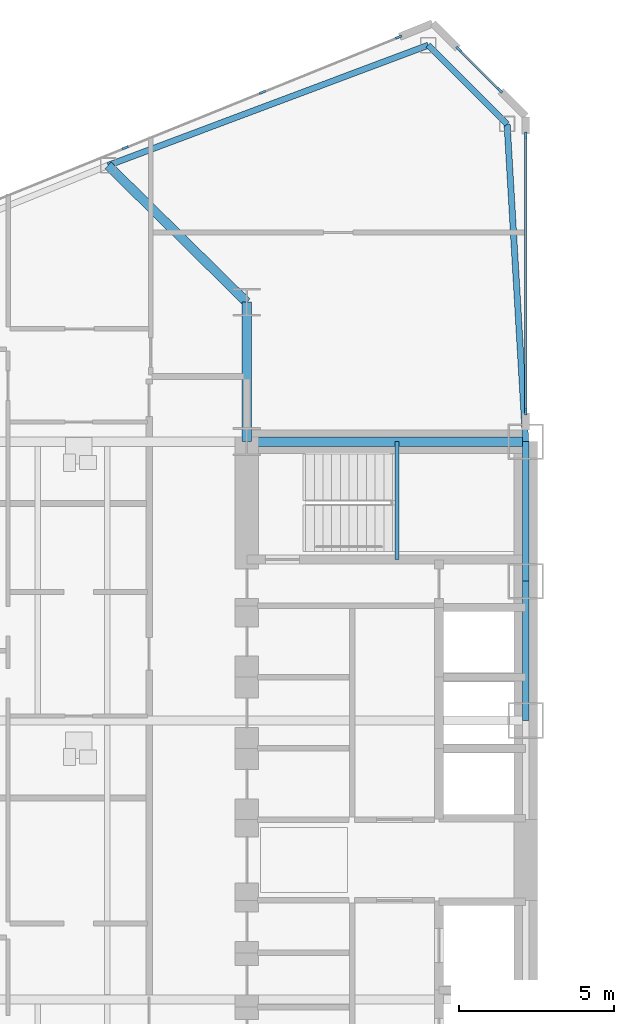
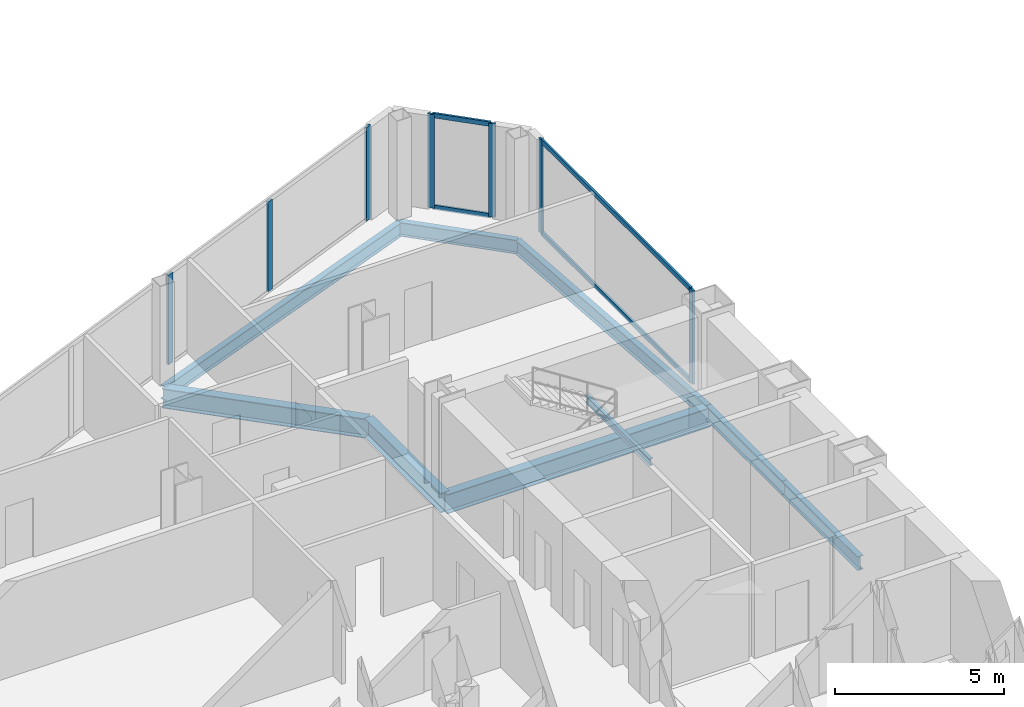
# One storey, part 8 of 25: 11 members, 9 beams, 3 elements without a shape of their own.
"""IFC4 building model written with IfcOpenShell, lengths in metres."""

from ifc_helpers import new_model, si_unit, direction, frame, origin, origin_2d, place, context, subcontext, project, spatial, rectangle, i_section, extrude, source, transform, mapped, material, layer, layer_set, material_profile, profile_set, type_object, type_shapes, element, aggregate, save


model = new_model("IFC4")

# Units and contexts
model_context = context("Model", 3, precision=1e-05, world=origin(), true_north=direction((0.0, 1.0)))
body_context = subcontext(model_context, "Body", "Model", "MODEL_VIEW")
ifc_project = project(units=[si_unit("LENGTHUNIT", "METRE"), si_unit("AREAUNIT", "SQUARE_METRE"), si_unit("VOLUMEUNIT", "CUBIC_METRE"), si_unit("PLANEANGLEUNIT", "RADIAN"), si_unit("MASSUNIT", "GRAM", prefix="KILO")], contexts=[model_context])

# Site, building, storey
site_placement = place(None, origin())
site = spatial("IfcSite", under=ifc_project, at=site_placement, CompositionType="ELEMENT")
building_placement = place(site_placement, origin())
building = spatial("IfcBuilding", under=site, at=building_placement, Name="Seokmaru Belvedere", CompositionType="ELEMENT")
storey_placement = place(building_placement, frame((0.0, 0.0, 33.300048828125)))
storey = spatial("IfcBuildingStorey", under=building, at=storey_placement, Name="L08", CompositionType="ELEMENT", Elevation=33.300048828125)

# Beams
ifc_material_1 = material(Name="Steel SM355 (355 MPa)", Category="steel")
ifc_material_profile_1 = material_profile(ifc_material_1, i_section(OverallWidth=0.199951171875, OverallDepth=0.5, WebThickness=0.010009765625, FlangeThickness=0.01611328125, at=origin_2d()), Name="H-500x200x10x16")
ifc_profile_set_1 = profile_set([ifc_material_profile_1], Name="Steel SM355 (355 MPa)")
beam_type_1 = type_object("IfcBeamType", Name="Perimeter Spandrel Beam H-500", PredefinedType="SPANDREL", material=ifc_profile_set_1)
shared_shape_1 = source(origin(), body_context, "Body", "SweptSolid", [
    extrude(i_section(OverallWidth=0.199951171875, OverallDepth=0.5, WebThickness=0.010009765625, FlangeThickness=0.01611328125, at=origin_2d()), origin(), (0.0, 0.0, 1.0), 4.5),
])
for number, where, z_axis, x_axis, name in (
    (1, (-27.5, 4.5, -0.469970703125), (0.0, 1.0, 0.0), (-1.0, 0.0, 0.0), "L08 W Portal Spine Spandrel 4"),
    (2, (-27.5, 9.0, -0.469970703125), (0.0, 1.0, 0.0), (-1.0, 0.0, 0.0), "L08 W Portal Spine Spandrel 5"),
):
    element("IfcBeam", number, at=place(storey_placement, frame(where, z_axis=z_axis, x_axis=x_axis)), inside=storey, type_object=beam_type_1, Name=name, PredefinedType="SPANDREL", context=body_context, shape_type="MappedRepresentation", body=[
        mapped(shared_shape_1, transform((0.0, 0.0, 0.0), scale=1.0)),
    ])
ifc_material_profile_2 = material_profile(ifc_material_1, i_section(OverallWidth=0.300048828125, OverallDepth=0.699951171875, WebThickness=0.012939453125, FlangeThickness=0.02392578125, at=origin_2d()), Name="H-700x300x13x24")
ifc_profile_set_2 = profile_set([ifc_material_profile_2], Name="Steel SM355 (355 MPa)")
beam_type_2 = type_object("IfcBeamType", Name="Primary Floor Girder H-700", PredefinedType="BEAM", material=ifc_profile_set_2)
shared_shape_2 = source(origin(), body_context, "Body", "SweptSolid", [
    extrude(i_section(OverallWidth=0.300048828125, OverallDepth=0.699951171875, WebThickness=0.012939453125, FlangeThickness=0.02392578125, at=origin_2d()), origin(), (0.0, 0.0, 1.0), 4.5),
])
beam_1_placement = place(storey_placement, frame((-36.5, 13.5, -0.570068359375), z_axis=(0.0, 1.0, 0.0), x_axis=(-1.0, 0.0, 0.0)))
element("IfcBeam", 3, at=beam_1_placement, inside=storey, type_object=beam_type_2, Name="L08 W Core Shoulder Girder N", PredefinedType="BEAM", context=body_context, shape_type="MappedRepresentation", body=[
    mapped(shared_shape_2, transform((0.0, 0.0, 0.0), scale=1.0)),
])
shared_shape_3 = source(origin(), body_context, "Body", "SweptSolid", [
    extrude(i_section(OverallWidth=0.300048828125, OverallDepth=0.699951171875, WebThickness=0.012939453125, FlangeThickness=0.02392578125, at=origin_2d()), origin(), (0.0, 0.0, 1.0), 9.0),
])
beam_2_placement = place(storey_placement, frame((-36.5, 13.5, -0.570068359375), z_axis=(1.0, 0.0, 0.0), x_axis=(0.0, 1.0, 0.0)))
element("IfcBeam", 4, at=beam_2_placement, inside=storey, type_object=beam_type_2, Name="L08 W Core Tie Girder 4", PredefinedType="BEAM", context=body_context, shape_type="MappedRepresentation", body=[
    mapped(shared_shape_3, transform((0.0, 0.0, 0.0), scale=1.0)),
])
shared_shape_4 = source(origin(), body_context, "Body", "SweptSolid", [
    extrude(i_section(OverallWidth=0.199951171875, OverallDepth=0.5, WebThickness=0.010009765625, FlangeThickness=0.01611328125, at=origin_2d()), origin(), (0.0, 0.0, 1.0), 11.03857421875),
])
beam_3_placement = place(storey_placement, frame((-30.643310546875, 26.294677734375, -0.469970703125), z_axis=(-0.936169110734, -0.351549990907, 0.0), x_axis=(0.351549990907, -0.936169110734, 0.0)))
element("IfcBeam", 5, at=beam_3_placement, inside=storey, type_object=beam_type_1, Name="L08 W Faceted Flank Spandrel N-1", PredefinedType="SPANDREL", context=body_context, shape_type="MappedRepresentation", body=[
    mapped(shared_shape_4, transform((0.0, 0.0, 0.0), scale=1.0)),
])
shared_shape_5 = source(origin(), body_context, "Body", "SweptSolid", [
    extrude(i_section(OverallWidth=0.199951171875, OverallDepth=0.5, WebThickness=0.010009765625, FlangeThickness=0.01611328125, at=origin_2d()), origin(), (0.0, 0.0, 1.0), 3.5966796875),
])
beam_4_placement = place(storey_placement, frame((-30.643310546875, 26.294677734375, -0.469970703125), z_axis=(0.707106781187, -0.707106781187, 0.0), x_axis=(0.707106781187, 0.707106781187, 0.0)))
element("IfcBeam", 6, at=beam_4_placement, inside=storey, type_object=beam_type_1, Name="L08 W Shoulder Chamfer Spandrel N", PredefinedType="SPANDREL", context=body_context, shape_type="MappedRepresentation", body=[
    mapped(shared_shape_5, transform((0.0, 0.0, 0.0), scale=1.0)),
])
shared_shape_6 = source(origin(), body_context, "Body", "SweptSolid", [
    extrude(i_section(OverallWidth=0.199951171875, OverallDepth=0.5, WebThickness=0.010009765625, FlangeThickness=0.01611328125, at=origin_2d()), origin(), (0.0, 0.0, 1.0), 10.26904296875),
])
type_shapes(beam_type_1, [shared_shape_1, shared_shape_4, shared_shape_5, shared_shape_6])
beam_5_placement = place(storey_placement, frame((-28.10009765625, 23.75146484375, -0.469970703125), z_axis=(0.058437709399, -0.998291056817, 0.0), x_axis=(0.998291056817, 0.058437709399, 0.0)))
element("IfcBeam", 7, at=beam_5_placement, inside=storey, type_object=beam_type_1, Name="L08 W Shoulder Spine Spandrel N", PredefinedType="SPANDREL", context=body_context, shape_type="MappedRepresentation", body=[
    mapped(shared_shape_6, transform((0.0, 0.0, 0.0), scale=1.0)),
])
shared_shape_7 = source(origin(), body_context, "Body", "SweptSolid", [
    extrude(i_section(OverallWidth=0.300048828125, OverallDepth=0.699951171875, WebThickness=0.012939453125, FlangeThickness=0.02392578125, at=origin_2d()), origin(), (0.0, 0.0, 1.0), 6.287353515625),
])
type_shapes(beam_type_2, [shared_shape_2, shared_shape_3, shared_shape_7])
beam_6_placement = place(storey_placement, frame((-40.977294921875, 22.4140625, -0.570068359375), z_axis=(0.712117485263, -0.702060315915, 0.0), x_axis=(0.702060315915, 0.712117485263, 0.0)))
element("IfcBeam", 8, at=beam_6_placement, inside=storey, type_object=beam_type_2, Name="L08 W Flank Radial Floor Girder N-1", PredefinedType="BEAM", context=body_context, shape_type="MappedRepresentation", body=[
    mapped(shared_shape_7, transform((0.0, 0.0, 0.0), scale=1.0)),
])

# Curtain wall, members
ifc_material_2 = material(Name="Bronze Triple Insulating Glass", Category="glass")
ifc_layer = layer(ifc_material_2, 0.2099609375)
ifc_layer_set = layer_set([ifc_layer], Name="Bronze Triple Insulating Glass")
curtain_wall_type = type_object("IfcCurtainWallType", Name="Low-Rise Faceted Crystal Curtain Wall System CW-2", PredefinedType="NOTDEFINED", material=ifc_layer_set)
curtain_wall_1_placement = place(storey_placement, origin())
curtain_wall_1 = element("IfcCurtainWall", 9, at=curtain_wall_1_placement, inside=storey, type_object=curtain_wall_type, Name="L08 Curtain Wall WSP_2", PredefinedType="NOTDEFINED")
ifc_material_3 = material(Name="Anodised Bronze Aluminium", Category="aluminium")
ifc_material_profile_3 = material_profile(ifc_material_3, rectangle(XDim=0.070068359375, YDim=0.1650390625, at=origin_2d()), Name="CW-T-70x165")
ifc_profile_set_3 = profile_set([ifc_material_profile_3], Name="Anodised Bronze Aluminium")
member_type_1 = type_object("IfcMemberType", Name="Bronze Unitised Transom 70x165", PredefinedType="USERDEFINED", material=ifc_profile_set_3)
shared_shape_8 = source(origin(), body_context, "Body", "SweptSolid", [
    extrude(rectangle(XDim=0.070068359375, YDim=0.1650390625, at=origin_2d()), origin(), (0.0, 0.0, 1.0), 8.85009765625),
])
member_1_placement = place(storey_placement, frame((-27.5, 14.5048828125, 0.034912109375), z_axis=(0.0, 1.0, 0.0), x_axis=(-1.0, 0.0, 0.0)))
member_1 = element("IfcMember", 10, at=member_1_placement, type_object=member_type_1, Name="CW:L08:WSP_2 Continuous Transom 1", ObjectType="TRANSOM", PredefinedType="USERDEFINED", context=body_context, shape_type="MappedRepresentation", body=[
    mapped(shared_shape_8, transform((0.0, 0.0, 0.0), scale=1.0)),
])
member_2_placement = place(storey_placement, frame((-27.5, 14.5048828125, 3.344970703125), z_axis=(0.0, 1.0, 0.0), x_axis=(-1.0, 0.0, 0.0)))
member_2 = element("IfcMember", 11, at=member_2_placement, type_object=member_type_1, Name="CW:L08:WSP_2 Continuous Transom 2", ObjectType="TRANSOM", PredefinedType="USERDEFINED", context=body_context, shape_type="MappedRepresentation", body=[
    mapped(shared_shape_8, transform((0.0, 0.0, 0.0), scale=1.0)),
])

curtain_wall_2_placement = place(storey_placement, origin())
curtain_wall_2 = element("IfcCurtainWall", 12, at=curtain_wall_2_placement, inside=storey, type_object=curtain_wall_type, Name="L08 Curtain Wall WF2", PredefinedType="NOTDEFINED")
shared_shape_9 = source(origin(), body_context, "Body", "SweptSolid", [
    extrude(rectangle(XDim=0.070068359375, YDim=0.1650390625, at=origin_2d()), origin(), (0.0, 0.0, 1.0), 1.792724609375),
])
type_shapes(member_type_1, [shared_shape_8, shared_shape_9])
member_3_placement = place(storey_placement, frame((-28.3662109375, 24.8662109375, 0.034912109375), z_axis=(-0.707106781187, 0.707106781187, 0.0), x_axis=(-0.707106781187, -0.707106781187, 0.0)))
member_3 = element("IfcMember", 13, at=member_3_placement, type_object=member_type_1, Name="CW:L08:WF2 Continuous Transom 1", ObjectType="TRANSOM", PredefinedType="USERDEFINED", context=body_context, shape_type="MappedRepresentation", body=[
    mapped(shared_shape_9, transform((0.0, 0.0, 0.0), scale=1.0)),
])
member_4_placement = place(storey_placement, frame((-28.3662109375, 24.8662109375, 3.344970703125), z_axis=(-0.707106781187, 0.707106781187, 0.0), x_axis=(-0.707106781187, -0.707106781187, 0.0)))
member_4 = element("IfcMember", 14, at=member_4_placement, type_object=member_type_1, Name="CW:L08:WF2 Continuous Transom 2", ObjectType="TRANSOM", PredefinedType="USERDEFINED", context=body_context, shape_type="MappedRepresentation", body=[
    mapped(shared_shape_9, transform((0.0, 0.0, 0.0), scale=1.0)),
])

curtain_wall_3_placement = place(storey_placement, origin())
curtain_wall_3 = element("IfcCurtainWall", 15, at=curtain_wall_3_placement, inside=storey, type_object=curtain_wall_type, Name="L08 Curtain Wall WF3", PredefinedType="NOTDEFINED")
ifc_material_profile_4 = material_profile(ifc_material_3, rectangle(XDim=0.074951171875, YDim=0.2099609375, at=origin_2d()), Name="CW-M-75x210")
ifc_profile_set_4 = profile_set([ifc_material_profile_4], Name="Anodised Bronze Aluminium")
member_type_2 = type_object("IfcMemberType", Name="Bronze Unitised Mullion 75x210", PredefinedType="MULLION", material=ifc_profile_set_4)
shared_shape_10 = source(origin(), body_context, "Body", "SweptSolid", [
    extrude(rectangle(XDim=0.074951171875, YDim=0.2099609375, at=origin_2d()), origin(), (0.0, 0.0, 1.0), 3.239990234375),
])
member_5_placement = place(storey_placement, frame((-35.995849609375, 24.775390625, 0.070068359375), z_axis=(0.0, 0.0, 1.0), x_axis=(0.375192321888, -0.926946989637, 0.0)))
member_5 = element("IfcMember", 16, at=member_5_placement, type_object=member_type_2, Name="CW:L08:WF3 Mullion 2", PredefinedType="MULLION", context=body_context, shape_type="MappedRepresentation", body=[
    mapped(shared_shape_10, transform((0.0, 0.0, 0.0), scale=1.0)),
])
member_6_placement = place(storey_placement, frame((-40.425537109375, 22.982421875, 0.070068359375), z_axis=(0.0, 0.0, 1.0), x_axis=(0.375192321888, -0.926946989637, 0.0)))
member_6 = element("IfcMember", 17, at=member_6_placement, type_object=member_type_2, Name="CW:L08:WF3 Mullion 3", PredefinedType="MULLION", context=body_context, shape_type="MappedRepresentation", body=[
    mapped(shared_shape_10, transform((0.0, 0.0, 0.0), scale=1.0)),
])

# Member
shared_shape_11 = source(origin(), body_context, "Body", "SweptSolid", [
    extrude(rectangle(XDim=0.074951171875, YDim=0.2099609375, at=origin_2d()), origin(), (0.0, 0.0, 1.0), 3.3798828125),
])
type_shapes(member_type_2, [shared_shape_10, shared_shape_11])
member_7_placement = place(storey_placement, frame((-27.5, 14.467529296875, 0.0), z_axis=(0.0, 0.0, 1.0), x_axis=(-1.0, 0.0, 0.0)))
member_7 = element("IfcMember", 18, at=member_7_placement, type_object=member_type_2, Name="CW:L08:WSP_2 Mullion 1", PredefinedType="MULLION", context=body_context, shape_type="MappedRepresentation", body=[
    mapped(shared_shape_11, transform((0.0, 0.0, 0.0), scale=1.0)),
])

member_8_placement = place(storey_placement, frame((-27.5, 23.392578125, 0.0), z_axis=(0.0, 0.0, 1.0), x_axis=(-1.0, 0.0, 0.0)))
member_8 = element("IfcMember", 19, at=member_8_placement, type_object=member_type_2, Name="CW:L08:WSP_2 Mullion 2", PredefinedType="MULLION", context=body_context, shape_type="MappedRepresentation", body=[
    mapped(shared_shape_11, transform((0.0, 0.0, 0.0), scale=1.0)),
])

aggregate(curtain_wall_1, [member_7, member_8, member_1, member_2])

member_9_placement = place(storey_placement, frame((-28.339599609375, 24.839599609375, 0.0), z_axis=(0.0, 0.0, 1.0), x_axis=(-0.707106781187, -0.707106781187, 0.0)))
member_9 = element("IfcMember", 20, at=member_9_placement, type_object=member_type_2, Name="CW:L08:WF2 Mullion 1", PredefinedType="MULLION", context=body_context, shape_type="MappedRepresentation", body=[
    mapped(shared_shape_11, transform((0.0, 0.0, 0.0), scale=1.0)),
])

member_10_placement = place(storey_placement, frame((-29.660400390625, 26.160400390625, 0.0), z_axis=(0.0, 0.0, 1.0), x_axis=(-0.707106781187, -0.707106781187, 0.0)))
member_10 = element("IfcMember", 21, at=member_10_placement, type_object=member_type_2, Name="CW:L08:WF2 Mullion 2", PredefinedType="MULLION", context=body_context, shape_type="MappedRepresentation", body=[
    mapped(shared_shape_11, transform((0.0, 0.0, 0.0), scale=1.0)),
])

aggregate(curtain_wall_2, [member_9, member_10, member_3, member_4])

member_11_placement = place(storey_placement, frame((-31.600830078125, 26.554443359375, 0.0), z_axis=(0.0, 0.0, 1.0), x_axis=(0.375192321888, -0.926946989637, 0.0)))
member_11 = element("IfcMember", 22, at=member_11_placement, type_object=member_type_2, Name="CW:L08:WF3 Mullion 1", PredefinedType="MULLION", context=body_context, shape_type="MappedRepresentation", body=[
    mapped(shared_shape_11, transform((0.0, 0.0, 0.0), scale=1.0)),
])

aggregate(curtain_wall_3, [member_11, member_5, member_6])

# Beam
ifc_material_profile_5 = material_profile(ifc_material_1, i_section(OverallWidth=0.125, OverallDepth=0.25, WebThickness=0.006103515625, FlangeThickness=0.009033203125, at=origin_2d()), Name="H-250x125x6x9")
ifc_profile_set_5 = profile_set([ifc_material_profile_5], Name="Steel SM355 (355 MPa)")
beam_type_3 = type_object("IfcBeamType", Name="Stair Mid-Landing Support Beam H-250", PredefinedType="JOIST", material=ifc_profile_set_5)
shared_shape_12 = source(origin(), body_context, "Body", "SweptSolid", [
    extrude(i_section(OverallWidth=0.125, OverallDepth=0.25, WebThickness=0.006103515625, FlangeThickness=0.009033203125, at=origin_2d()), origin(), (0.0, 0.0, 1.0), 3.800048828125),
])
type_shapes(beam_type_3, [shared_shape_12])
beam_7_placement = place(storey_placement, frame((-31.64990234375, 9.699951171875, 1.474853515625), z_axis=(0.0, 1.0, 0.0), x_axis=(-1.0, 0.0, 0.0)))
element("IfcBeam", 23, at=beam_7_placement, inside=storey, type_object=beam_type_3, Name="L08 Stair ST-W2 Mid-Landing Support Beam 1", PredefinedType="JOIST", context=body_context, shape_type="MappedRepresentation", body=[
    mapped(shared_shape_12, transform((0.0, 0.0, 0.0), scale=1.0)),
])

save(model, "model.ifc")
